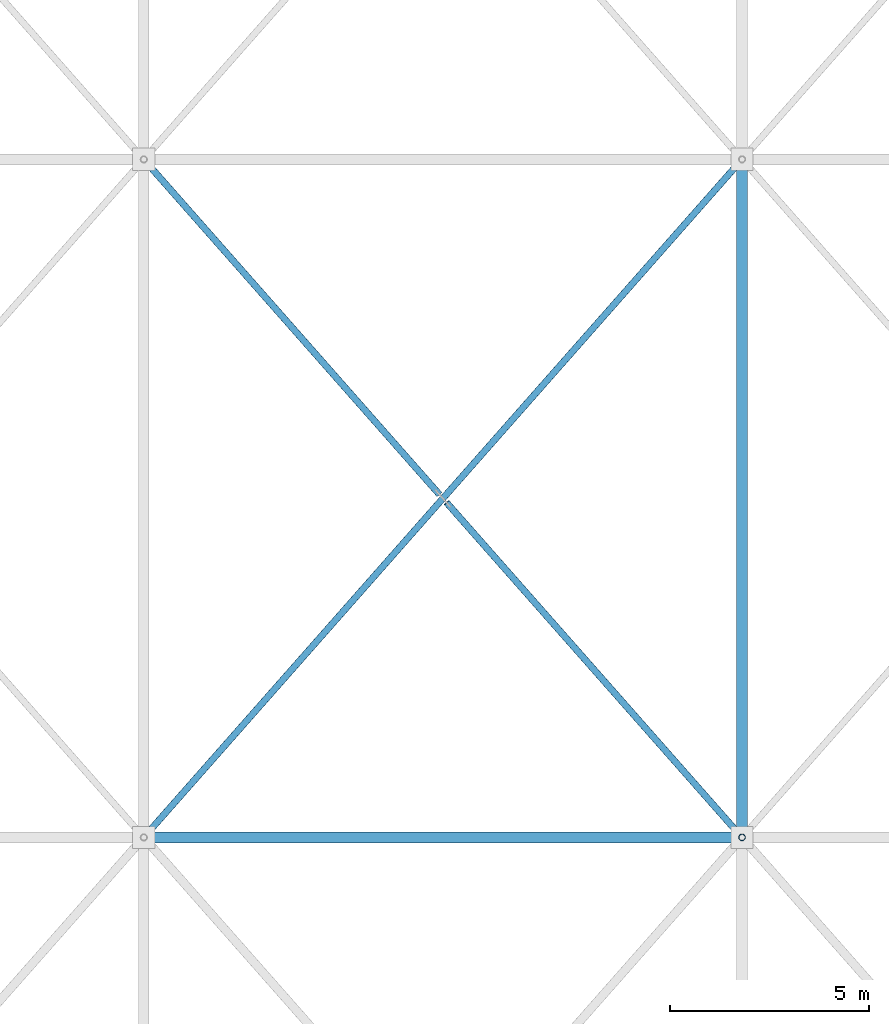
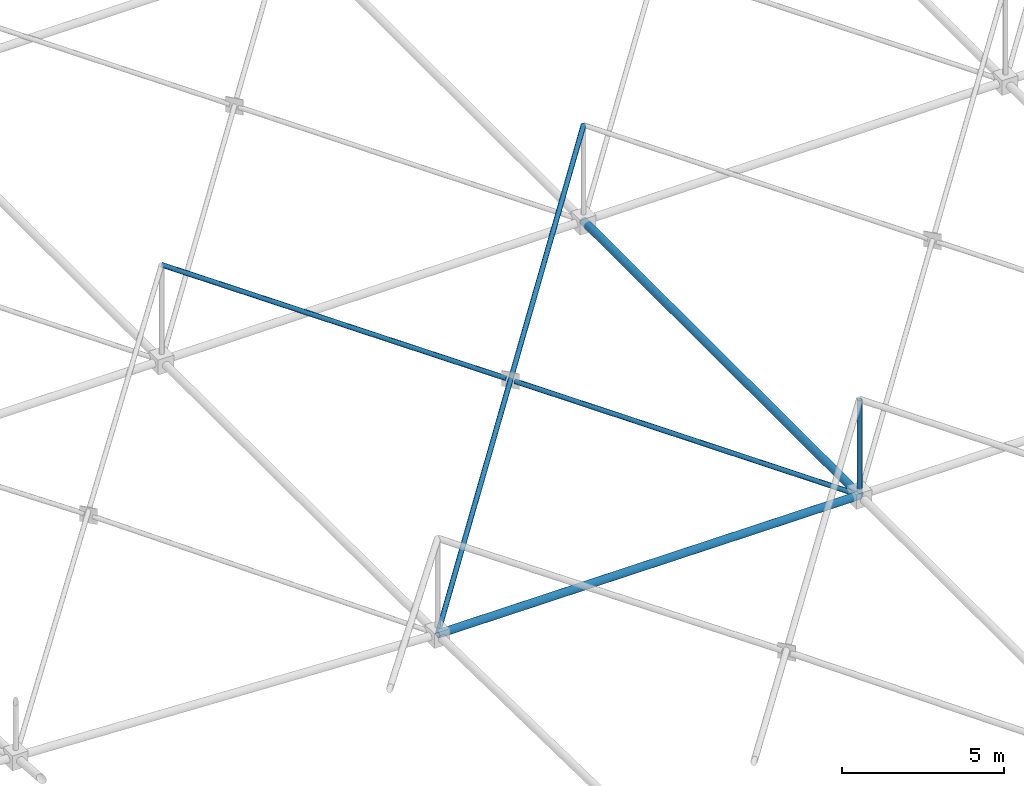
# One storey, part 37 of 224: 6 members.
"""IFC4 building model written with IfcOpenShell, lengths in metres."""

from ifc_helpers import new_model, si_unit, direction, frame, origin, origin_2d, place, context, subcontext, project, spatial, hollow_circle, extrude, material, material_profile, profile_set, type_object, element, save


model = new_model("IFC4")

# Units and contexts
model_context = context("Model", 3, precision=1e-05, world=origin(), true_north=direction((0.0, 1.0)))
body_context = subcontext(model_context, "Body", "Model", "MODEL_VIEW")
ifc_project = project(units=[si_unit("LENGTHUNIT", "METRE"), si_unit("AREAUNIT", "SQUARE_METRE"), si_unit("VOLUMEUNIT", "CUBIC_METRE"), si_unit("PLANEANGLEUNIT", "RADIAN"), si_unit("MASSUNIT", "GRAM", prefix="KILO")], contexts=[model_context])

# Site, building, storey
site_placement = place(None, origin())
site = spatial("IfcSite", under=ifc_project, at=site_placement, CompositionType="ELEMENT")
building_placement = place(site_placement, origin())
building = spatial("IfcBuilding", under=site, at=building_placement, Name="Qamarlyn Nura Convention Centre", CompositionType="ELEMENT")
storey_placement = place(building_placement, frame((0.0, 0.0, 10.800048828125)))
storey = spatial("IfcBuildingStorey", under=building, at=storey_placement, Name="L02", CompositionType="ELEMENT", Elevation=10.800048828125)

# Members
ifc_material = material(Name="Pearl-white PVDF steel ASTM A500 Grade C", Category="steel")
ifc_material_profile_1 = material_profile(ifc_material, hollow_circle(Radius=0.136474609375, WallThickness=0.012451171875, at=origin_2d()), Name="CHS273X12.5")
ifc_profile_set_1 = profile_set([ifc_material_profile_1], Name="Pearl-white PVDF steel ASTM A500 Grade C")
member_type_1 = type_object("IfcMemberType", Name="SF-BC-MAIN", PredefinedType="CHORD", material=ifc_profile_set_1)
member_1_placement = place(storey_placement, frame((30.0, 35.0, 0.828857421875), z_axis=(0.999998155705, 0.0, -0.001920569375), x_axis=(0.0, 1.0, 0.0)))
element("IfcMember", 1, at=member_1_placement, inside=storey, type_object=member_type_1, Name="ROOF TRUSS space frame bottom chord X4-3", PredefinedType="CHORD", context=body_context, shape_type="SweptSolid", body=[
    extrude(hollow_circle(Radius=0.136474609375, WallThickness=0.012451171875, at=origin_2d()), origin(), (0.0, 0.0, 1.0), 15.0),
])
member_2_placement = place(storey_placement, frame((45.0, 35.0, 0.800048828125), z_axis=(0.0, 1.0, 0.0), x_axis=(-1.0, 0.0, 0.0)))
element("IfcMember", 2, at=member_2_placement, inside=storey, type_object=member_type_1, Name="ROOF TRUSS space frame bottom chord Y5-3", PredefinedType="CHORD", context=body_context, shape_type="SweptSolid", body=[
    extrude(hollow_circle(Radius=0.136474609375, WallThickness=0.012451171875, at=origin_2d()), origin(), (0.0, 0.0, 1.0), 17.0),
])
ifc_material_profile_2 = material_profile(ifc_material, hollow_circle(Radius=0.084228515625, WallThickness=0.008056640625, at=origin_2d()), Name="CHS168.3X8")
ifc_profile_set_2 = profile_set([ifc_material_profile_2], Name="Pearl-white PVDF steel ASTM A500 Grade C")
member_type_2 = type_object("IfcMemberType", Name="SF-WEB-STD", PredefinedType="BRACE", material=ifc_profile_set_2)
member_3_placement = place(storey_placement, frame((30.0, 35.0, 0.828857421875), z_axis=(0.653563836207, 0.740705681035, 0.155593721227), x_axis=(-0.749837855365, 0.661621637087, 0.0)))
element("IfcMember", 3, at=member_3_placement, inside=storey, type_object=member_type_2, Name="ROOF TRUSS space frame diagonal A 4-3", PredefinedType="BRACE", context=body_context, shape_type="SweptSolid", body=[
    extrude(hollow_circle(Radius=0.084228515625, WallThickness=0.008056640625, at=origin_2d()), origin(), (0.0, 0.0, 1.0), 22.951171875),
])
member_4_placement = place(storey_placement, frame((45.0, 35.0, 0.800048828125), z_axis=(-0.653370508088, 0.740486575834, 0.15743763899), x_axis=(-0.749837855365, -0.661621637087, 0.0)))
element("IfcMember", 4, at=member_4_placement, inside=storey, type_object=member_type_2, Name="ROOF TRUSS space frame split diagonal B1 4-3", PredefinedType="BRACE", context=body_context, shape_type="SweptSolid", body=[
    extrude(hollow_circle(Radius=0.084228515625, WallThickness=0.008056640625, at=origin_2d()), origin(), (0.0, 0.0, 1.0), 11.3388671875),
])
member_5_placement = place(storey_placement, frame((37.408447265625, 43.603759765625, 2.629150390625), z_axis=(-0.65350069478, 0.740634120751, 0.156198403007), x_axis=(-0.749837855365, -0.661621637087, 0.0)))
element("IfcMember", 5, at=member_5_placement, inside=storey, type_object=member_type_2, Name="ROOF TRUSS space frame split diagonal B2 4-3", PredefinedType="BRACE", context=body_context, shape_type="SweptSolid", body=[
    extrude(hollow_circle(Radius=0.084228515625, WallThickness=0.008056640625, at=origin_2d()), origin(), (0.0, 0.0, 1.0), 11.336669921875),
])
member_6_placement = place(storey_placement, frame((45.0, 35.0, 0.800048828125), z_axis=(0.0, 0.0, 1.0), x_axis=(1.0, 0.0, 0.0)))
element("IfcMember", 6, at=member_6_placement, inside=storey, type_object=member_type_2, Name="ROOF TRUSS space frame vertical 5-3", PredefinedType="BRACE", context=body_context, shape_type="SweptSolid", body=[
    extrude(hollow_circle(Radius=0.084228515625, WallThickness=0.008056640625, at=origin_2d()), origin(), (0.0, 0.0, 1.0), 3.599853515625),
])

save(model, "model.ifc")
